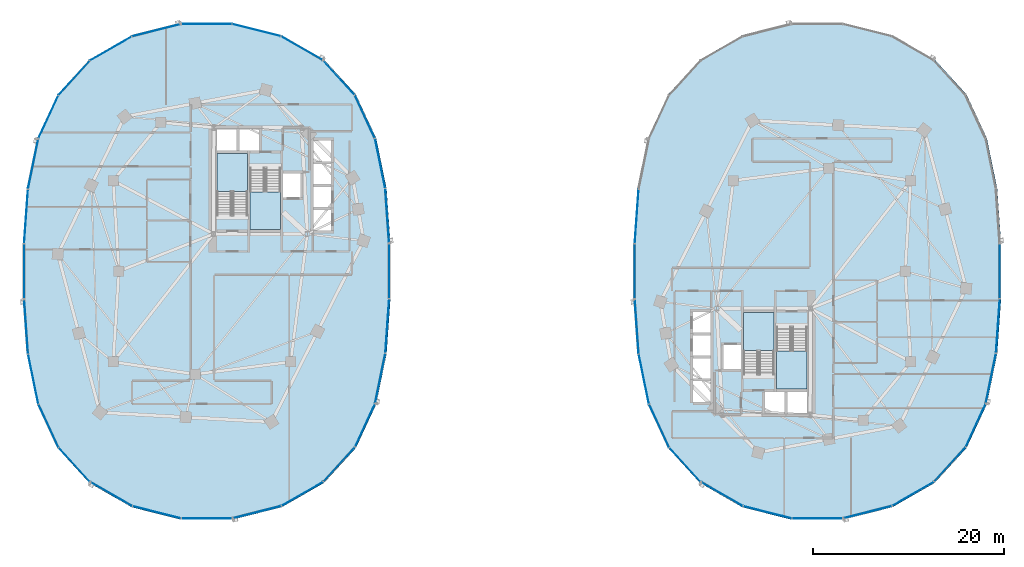
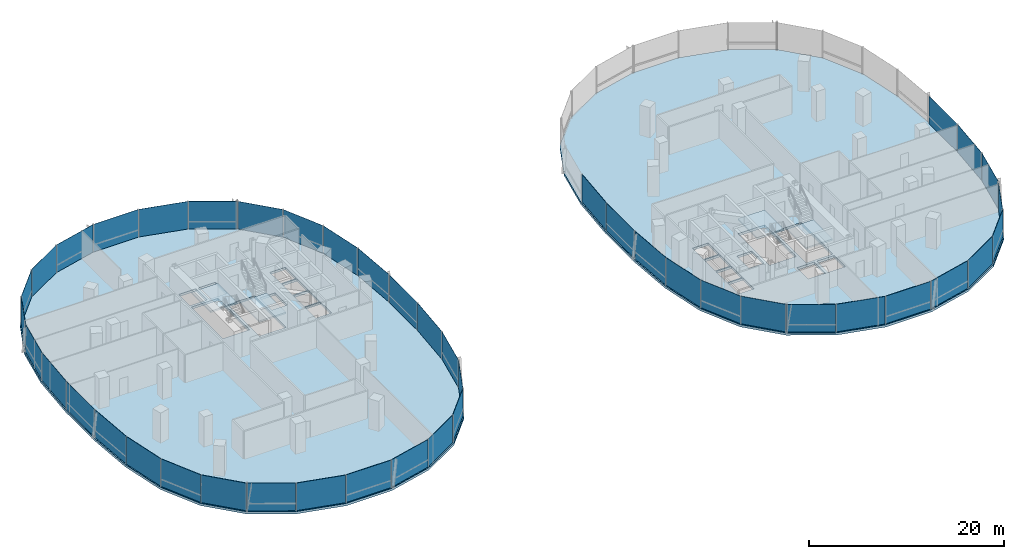
# One storey, part 9 of 21: 44 plates, 6 slabs, 11 elements without a shape of their own.
"""IFC4 building model written with IfcOpenShell, lengths in metres."""

import ifcopenshell
import ifcopenshell.guid

model = None  # the IFC model being written
_history = None  # IfcOwnerHistory: only IFC2X3 demands one
_inside = {}  # id of a spatial element -> (the spatial element, [elements in it])
_under = {}  # id of a project, library or spatial element -> (it, [spatial elements below it])
_declared = {}  # id of a project -> (the project, [libraries it declares])
_typed = {}  # id of a type object -> (the type object, [elements of that type])
_made_of = {}  # id of a material, layer set ... -> (it, [elements and type objects made of it])


def new_model(schema):
    """Start an empty IFC model of exactly this schema.

    Asked for "IFC4X3", IfcOpenShell would pick the latest addendum, in which some entities
    have other attributes; the version numbers below select the first issue.
    IFC2X3 requires an IfcOwnerHistory on every rooted entity: one is made here for all.
    """
    global model, _history
    if schema == "IFC4X3":
        model = ifcopenshell.file(schema_version=(4, 3, 0, 0))
    else:
        model = ifcopenshell.file(schema=schema)
    _inside.clear()
    _under.clear()
    _declared.clear()
    _typed.clear()
    _made_of.clear()
    _history = None
    if model.schema == "IFC2X3":
        org = make("IfcOrganization", Name="unknown")
        user = make(
            "IfcPersonAndOrganization",
            ThePerson=make("IfcPerson", FamilyName="unknown"),
            TheOrganization=org,
        )
        app = make(
            "IfcApplication",
            ApplicationDeveloper=org,
            Version="unknown",
            ApplicationFullName="unknown",
            ApplicationIdentifier="unknown",
        )
        _history = make(
            "IfcOwnerHistory",
            OwningUser=user,
            OwningApplication=app,
            ChangeAction="ADDED",
            CreationDate=0,
        )
    return model


def make(cls, **values):
    """One entity of the class cls with the attributes given. An attribute that is None is left unset."""
    return model.create_entity(
        cls, **{name: value for name, value in values.items() if value is not None}
    )


def rooted(cls, **values):
    """An entity with a GlobalId (a new one), such as an element, a storey or a relation."""
    return make(cls, GlobalId=ifcopenshell.guid.new(), OwnerHistory=_history, **values)


def si_unit(unit_type, name, prefix=None):
    """IfcSIUnit, for example si_unit("LENGTHUNIT", "METRE", prefix="MILLI")."""
    return make("IfcSIUnit", UnitType=unit_type, Prefix=prefix, Name=name)


def assignment(units):
    """IfcUnitAssignment: the units of a project."""
    return None if units is None else make("IfcUnitAssignment", Units=units)


def point(xyz):
    """IfcCartesianPoint."""
    return None if xyz is None else make("IfcCartesianPoint", Coordinates=xyz)


def direction(xyz):
    """IfcDirection."""
    return None if xyz is None else make("IfcDirection", DirectionRatios=xyz)


def frame(location, z_axis=None, x_axis=None):
    """IfcAxis2Placement3D, a coordinate frame: its origin and axes. An axis left out is left unset."""
    return make(
        "IfcAxis2Placement3D",
        Location=point(location),
        Axis=direction(z_axis),
        RefDirection=direction(x_axis),
    )


def frame_2d(location, x_axis=None):
    """IfcAxis2Placement2D, a coordinate frame in the plane: its origin and x axis."""
    return make(
        "IfcAxis2Placement2D", Location=point(location), RefDirection=direction(x_axis)
    )


def origin():
    """The frame at (0, 0, 0) with its axes left unset."""
    return frame((0.0, 0.0, 0.0))


def origin_2d():
    """The frame at (0, 0) in the plane with its x axis left unset."""
    return frame_2d((0.0, 0.0))


def place(relative_to, where):
    """IfcLocalPlacement: puts the frame where relative to a parent placement (None: the world)."""
    return make(
        "IfcLocalPlacement", PlacementRelTo=relative_to, RelativePlacement=where
    )


def context(
    kind, dimensions, precision=None, world=None, true_north=None, identifier=None
):
    """IfcGeometricRepresentationContext, for example the 3D "Model" context."""
    return make(
        "IfcGeometricRepresentationContext",
        ContextIdentifier=identifier,
        ContextType=kind,
        CoordinateSpaceDimension=dimensions,
        Precision=precision,
        WorldCoordinateSystem=world,
        TrueNorth=true_north,
    )


def subcontext(parent, identifier, kind, view, scale=None):
    """IfcGeometricRepresentationSubContext, for example "Body" below "Model"."""
    return make(
        "IfcGeometricRepresentationSubContext",
        ContextIdentifier=identifier,
        ContextType=kind,
        ParentContext=parent,
        TargetScale=scale,
        TargetView=view,
    )


def project(units=None, contexts=None):
    """IfcProject with its units and contexts."""
    return rooted(
        "IfcProject",
        Name="project",
        RepresentationContexts=contexts,
        UnitsInContext=assignment(units),
    )


def spatial(cls, under=None, at=None, **own):
    """A site, building, storey or space (cls), placed at a placement, below another one or the project."""
    s = rooted(cls, ObjectPlacement=at, **own)
    if under is not None:
        _under.setdefault(under.id(), (under, []))[1].append(s)
    return s


def polyline(points):
    """IfcPolyline through the points."""
    return make("IfcPolyline", Points=[point(p) for p in points])


def profile(cls, at=None, kind="AREA", **sizes):
    """A parametric profile (cls). Its sizes go by their IFC names, for example OverallWidth=200.0."""
    return make(cls, ProfileType=kind, Position=at, **sizes)


def rectangle(**sizes):
    """IfcRectangleProfileDef."""
    return profile("IfcRectangleProfileDef", **sizes)


def outline(outer, holes=None, kind="AREA"):
    """IfcArbitraryClosedProfileDef: a profile drawn as a closed curve; with holes, ...WithVoids."""
    if holes is None:
        return make("IfcArbitraryClosedProfileDef", ProfileType=kind, OuterCurve=outer)
    return make(
        "IfcArbitraryProfileDefWithVoids",
        ProfileType=kind,
        OuterCurve=outer,
        InnerCurves=holes,
    )


def extrude(swept, where, along, depth):
    """IfcExtrudedAreaSolid: the profile swept, set in the frame where, extruded along a direction by depth."""
    return make(
        "IfcExtrudedAreaSolid",
        SweptArea=swept,
        Position=where,
        ExtrudedDirection=direction(along),
        Depth=depth,
    )


def shape(context_of_items, identifier, shape_type, items):
    """IfcShapeRepresentation: the items that make up one representation, for example the "Body"."""
    return make(
        "IfcShapeRepresentation",
        ContextOfItems=context_of_items,
        RepresentationIdentifier=identifier,
        RepresentationType=shape_type,
        Items=items,
    )


def material(Name=None, Category=None):
    """IfcMaterial."""
    return make("IfcMaterial", Name=Name, Category=Category)


def layer(
    of_material, thickness, ventilated=None, Name=None, Category=None, Priority=None
):
    """IfcMaterialLayer: one layer of a wall or slab, of a material (None: an air gap)."""
    return make(
        "IfcMaterialLayer",
        Material=of_material,
        LayerThickness=thickness,
        IsVentilated=ventilated,
        Name=Name,
        Category=Category,
        Priority=Priority,
    )


def layer_set(layers, Name=None):
    """IfcMaterialLayerSet."""
    return make("IfcMaterialLayerSet", MaterialLayers=layers, LayerSetName=Name)


def made_of(thing, what):
    """Note that an element or type object is made of a material, layer set ...; save() writes the relation."""
    if what is not None:
        _made_of.setdefault(what.id(), (what, []))[1].append(thing)
    return thing


def type_object(cls, material=None, **own):
    """A type object (cls), such as IfcWallType, which elements share."""
    return made_of(rooted(cls, **own), material)


def element(
    cls,
    number,
    at=None,
    inside=None,
    cuts=None,
    type_object=None,
    material=None,
    context=None,
    identifier="Body",
    shape_type=None,
    held_by="IfcProductDefinitionShape",
    body=None,
    shapes=None,
    **own,
):
    """One element of the class cls, such as IfcWall. Its Tag is "e" and its number.

    at: its placement. inside: the storey or other place that contains it. cuts: it is an
    opening in that element (IfcRelVoidsElement). A single representation is given by context,
    identifier, shape_type and body (its items); several are given by shapes. held_by: the class
    of the entity that holds the representations. save() writes the other relations.
    """
    e = rooted(cls, Tag="e%d" % number, ObjectPlacement=at, **own)
    if body is not None:
        shapes = [shape(context, identifier, shape_type, body)]
    if shapes is not None:
        e.Representation = make(held_by, Representations=shapes)
    if inside is not None:
        _inside.setdefault(inside.id(), (inside, []))[1].append(e)
    if cuts is not None:
        rooted(
            "IfcRelVoidsElement", RelatingBuildingElement=cuts, RelatedOpeningElement=e
        )
    if type_object is not None:
        _typed.setdefault(type_object.id(), (type_object, []))[1].append(e)
    return made_of(e, material)


def aggregate(whole, parts):
    """IfcRelAggregates: a whole, such as a stair, and the parts it consists of."""
    return rooted("IfcRelAggregates", RelatingObject=whole, RelatedObjects=parts)


def save(model, path):
    """Write the relations noted so far, then the file.

    IfcRelAggregates (storeys below a building ...), IfcRelContainedInSpatialStructure (elements
    in a storey), IfcRelDefinesByType, IfcRelAssociatesMaterial and IfcRelDeclares: one each for
    every whole, place, type object, material and project.
    """
    for whole, parts in _under.values():
        aggregate(whole, parts)
    for where, things in _inside.values():
        rooted(
            "IfcRelContainedInSpatialStructure",
            RelatedElements=things,
            RelatingStructure=where,
        )
    for kind, things in _typed.values():
        rooted("IfcRelDefinesByType", RelatedObjects=things, RelatingType=kind)
    for what, things in _made_of.values():
        rooted("IfcRelAssociatesMaterial", RelatedObjects=things, RelatingMaterial=what)
    for by, libraries in _declared.values():
        rooted("IfcRelDeclares", RelatingContext=by, RelatedDefinitions=libraries)
    model.write(path)


model = new_model("IFC4")

# Units and contexts
model_context = context("Model", 3, precision=1e-05, world=origin(), true_north=direction((0.0, 1.0)))
body_context = subcontext(model_context, "Body", "Model", "MODEL_VIEW")
ifc_project = project(units=[si_unit("LENGTHUNIT", "METRE"), si_unit("AREAUNIT", "SQUARE_METRE"), si_unit("VOLUMEUNIT", "CUBIC_METRE"), si_unit("PLANEANGLEUNIT", "RADIAN"), si_unit("MASSUNIT", "GRAM", prefix="KILO"), si_unit("THERMODYNAMICTEMPERATUREUNIT", "KELVIN"), si_unit("POWERUNIT", "WATT")], contexts=[model_context])

# Site, building, storey
site_placement = place(None, origin())
site = spatial("IfcSite", under=ifc_project, at=site_placement, CompositionType="ELEMENT")
building_placement = place(site_placement, origin())
building = spatial("IfcBuilding", under=site, at=building_placement, Name="Cundina Bronze Exchange", CompositionType="ELEMENT")
storey_placement = place(building_placement, frame((0.0, 0.0, 27.800048828125)))
storey = spatial("IfcBuildingStorey", under=building, at=storey_placement, Name="L06", CompositionType="ELEMENT", Elevation=27.800048828125)

# Curtain wall, plates
ifc_material_1 = material(Name="Anodised Bronze Aluminium 6063-T6", Category="aluminium")
curtain_wall_type = type_object("IfcCurtainWallType", Name="CWS-TRD-LOW", PredefinedType="NOTDEFINED", material=ifc_material_1)
curtain_wall_1_placement = place(storey_placement, origin())
curtain_wall_1 = element("IfcCurtainWall", 1, at=curtain_wall_1_placement, inside=storey, type_object=curtain_wall_type, Name="L06 CW-02 Curtain Wall Run CWR-L06-W1", PredefinedType="NOTDEFINED")
ifc_material_2 = material(Name="Heat-Strengthened Solar-Control Bronze Safety Glass 28mm", Category="glass")
ifc_layer_1 = layer(ifc_material_2, 0.028076171875, Name="Heat-Strengthened Solar-Control Bronze Safety Glass 28mm", Category="glass")
ifc_layer_set_1 = layer_set([ifc_layer_1], Name="Heat-Strengthened Solar-Control Bronze Safety Glass 28mm")
plate_type_1 = type_object("IfcPlateType", Name="PLT-GLZ-VIS28", PredefinedType="CURTAIN_PANEL", material=ifc_layer_set_1)
plate_1_placement = place(storey_placement, frame((-13.0732421875, 5.783935546875, 0.02001953125), z_axis=(0.0, 0.0, 1.0), x_axis=(-0.070278787473, 0.997527389113, 0.0)))
plate_1 = element("IfcPlate", 2, at=plate_1_placement, type_object=plate_type_1, Name="CW-02 Glazed Panel 1", PredefinedType="CURTAIN_PANEL", context=body_context, shape_type="SweptSolid", body=[
    extrude(rectangle(XDim=5.644287109375, YDim=0.028076171875, at=origin_2d()), origin(), (0.0, 0.0, 1.0), 3.4599609375),
])
plate_2_placement = place(storey_placement, frame((-13.81591796875, 11.269775390625, 0.02001953125), z_axis=(0.0, 0.0, 1.0), x_axis=(-0.201419845156, 0.979505000486, 0.0)))
plate_2 = element("IfcPlate", 3, at=plate_2_placement, type_object=plate_type_1, Name="CW-02 Glazed Panel 2", PredefinedType="CURTAIN_PANEL", context=body_context, shape_type="SweptSolid", body=[
    extrude(rectangle(XDim=5.306640625, YDim=0.028076171875, at=origin_2d()), origin(), (0.0, 0.0, 1.0), 3.4599609375),
])
plate_3_placement = place(storey_placement, frame((-15.413818359375, 16.177734375, 0.02001953125), z_axis=(0.0, 0.0, 1.0), x_axis=(-0.42084583328, 0.907132175932, 0.0)))
plate_3 = element("IfcPlate", 4, at=plate_3_placement, type_object=plate_type_1, Name="CW-02 Glazed Panel 3", PredefinedType="CURTAIN_PANEL", context=body_context, shape_type="SweptSolid", body=[
    extrude(rectangle(XDim=4.966552734375, YDim=0.028076171875, at=origin_2d()), origin(), (0.0, 0.0, 1.0), 3.4599609375),
])
plate_4_placement = place(storey_placement, frame((-21.980712890625, 23.34423828125, 0.02001953125), z_axis=(0.0, 0.0, 1.0), x_axis=(-0.867105478933, 0.498124571171, 0.0)))
plate_4 = element("IfcPlate", 5, at=plate_4_placement, type_object=plate_type_1, Name="CW-02 Glazed Panel 5", PredefinedType="CURTAIN_PANEL", context=body_context, shape_type="SweptSolid", body=[
    extrude(rectangle(XDim=5.021240234375, YDim=0.028076171875, at=origin_2d()), origin(), (0.0, 0.0, 1.0), 3.4599609375),
])
plate_5_placement = place(storey_placement, frame((-26.744384765625, 25.256591796875, 0.02001953125), z_axis=(0.0, 0.0, 1.0), x_axis=(-0.969488149345, 0.245138182011, 0.0)))
plate_5 = element("IfcPlate", 6, at=plate_5_placement, type_object=plate_type_1, Name="CW-02 Glazed Panel 6", PredefinedType="CURTAIN_PANEL", context=body_context, shape_type="SweptSolid", body=[
    extrude(rectangle(XDim=5.2333984375, YDim=0.028076171875, at=origin_2d()), origin(), (0.0, 0.0, 1.0), 3.4599609375),
])
plate_6_placement = place(storey_placement, frame((-32.0, 25.905029296875, 0.02001953125), z_axis=(0.0, 0.0, 1.0), x_axis=(-1.0, 0.0, 0.0)))
plate_6 = element("IfcPlate", 7, at=plate_6_placement, type_object=plate_type_1, Name="CW-02 Glazed Panel 7", PredefinedType="CURTAIN_PANEL", context=body_context, shape_type="SweptSolid", body=[
    extrude(rectangle(XDim=5.323974609375, YDim=0.028076171875, at=origin_2d()), origin(), (0.0, 0.0, 1.0), 3.4599609375),
])

curtain_wall_2_placement = place(storey_placement, origin())
curtain_wall_2 = element("IfcCurtainWall", 8, at=curtain_wall_2_placement, inside=storey, type_object=curtain_wall_type, Name="L06 CW-02 Curtain Wall Run CWR-L06-W2", PredefinedType="NOTDEFINED")
plate_7_placement = place(storey_placement, frame((-37.255615234375, 25.256591796875, 0.02001953125), z_axis=(0.0, 0.0, 1.0), x_axis=(-0.969488149345, -0.245138182011, 0.0)))
plate_7 = element("IfcPlate", 9, at=plate_7_placement, type_object=plate_type_1, Name="CW-02 Glazed Panel 1", PredefinedType="CURTAIN_PANEL", context=body_context, shape_type="SweptSolid", body=[
    extrude(rectangle(XDim=5.2333984375, YDim=0.028076171875, at=origin_2d()), origin(), (0.0, 0.0, 1.0), 3.4599609375),
])
plate_8_placement = place(storey_placement, frame((-42.019287109375, 23.34423828125, 0.02001953125), z_axis=(0.0, 0.0, 1.0), x_axis=(-0.867105478933, -0.498124571171, 0.0)))
plate_8 = element("IfcPlate", 10, at=plate_8_placement, type_object=plate_type_1, Name="CW-02 Glazed Panel 2", PredefinedType="CURTAIN_PANEL", context=body_context, shape_type="SweptSolid", body=[
    extrude(rectangle(XDim=5.021240234375, YDim=0.028076171875, at=origin_2d()), origin(), (0.0, 0.0, 1.0), 3.4599609375),
])
plate_9_placement = place(storey_placement, frame((-48.586181640625, 16.177734375, 0.02001953125), z_axis=(0.0, 0.0, 1.0), x_axis=(-0.42084583328, -0.907132175932, 0.0)))
plate_9 = element("IfcPlate", 11, at=plate_9_placement, type_object=plate_type_1, Name="CW-02 Glazed Panel 4", PredefinedType="CURTAIN_PANEL", context=body_context, shape_type="SweptSolid", body=[
    extrude(rectangle(XDim=4.966552734375, YDim=0.028076171875, at=origin_2d()), origin(), (0.0, 0.0, 1.0), 3.4599609375),
])
plate_10_placement = place(storey_placement, frame((-50.18408203125, 11.269775390625, 0.02001953125), z_axis=(0.0, 0.0, 1.0), x_axis=(-0.201419845156, -0.979505000486, 0.0)))
plate_10 = element("IfcPlate", 12, at=plate_10_placement, type_object=plate_type_1, Name="CW-02 Glazed Panel 5", PredefinedType="CURTAIN_PANEL", context=body_context, shape_type="SweptSolid", body=[
    extrude(rectangle(XDim=5.306640625, YDim=0.028076171875, at=origin_2d()), origin(), (0.0, 0.0, 1.0), 3.4599609375),
])
plate_11_placement = place(storey_placement, frame((-50.9267578125, 5.783935546875, 0.02001953125), z_axis=(0.0, 0.0, 1.0), x_axis=(-0.070278787473, -0.997527389113, 0.0)))
plate_11 = element("IfcPlate", 13, at=plate_11_placement, type_object=plate_type_1, Name="CW-02 Glazed Panel 6", PredefinedType="CURTAIN_PANEL", context=body_context, shape_type="SweptSolid", body=[
    extrude(rectangle(XDim=5.644287109375, YDim=0.028076171875, at=origin_2d()), origin(), (0.0, 0.0, 1.0), 3.4599609375),
])
plate_12_placement = place(storey_placement, frame((-51.1279296875, 0.0, 0.02001953125), z_axis=(0.0, 0.0, 1.0), x_axis=(0.0, -1.0, 0.0)))
plate_12 = element("IfcPlate", 14, at=plate_12_placement, type_object=plate_type_1, Name="CW-02 Glazed Panel 7", PredefinedType="CURTAIN_PANEL", context=body_context, shape_type="SweptSolid", body=[
    extrude(rectangle(XDim=5.77587890625, YDim=0.028076171875, at=origin_2d()), origin(), (0.0, 0.0, 1.0), 3.4599609375),
])

curtain_wall_3_placement = place(storey_placement, origin())
curtain_wall_3 = element("IfcCurtainWall", 15, at=curtain_wall_3_placement, inside=storey, type_object=curtain_wall_type, Name="L06 CW-02 Curtain Wall Run CWR-L06-W3", PredefinedType="NOTDEFINED")
plate_13_placement = place(storey_placement, frame((-50.9267578125, -5.783935546875, 0.02001953125), z_axis=(0.0, 0.0, 1.0), x_axis=(0.070278787473, -0.997527389113, 0.0)))
plate_13 = element("IfcPlate", 16, at=plate_13_placement, type_object=plate_type_1, Name="CW-02 Glazed Panel 1", PredefinedType="CURTAIN_PANEL", context=body_context, shape_type="SweptSolid", body=[
    extrude(rectangle(XDim=5.644287109375, YDim=0.028076171875, at=origin_2d()), origin(), (0.0, 0.0, 1.0), 3.4599609375),
])
plate_14_placement = place(storey_placement, frame((-48.586181640625, -16.177734375, 0.02001953125), z_axis=(0.0, 0.0, 1.0), x_axis=(0.42084583328, -0.907132175932, 0.0)))
plate_14 = element("IfcPlate", 17, at=plate_14_placement, type_object=plate_type_1, Name="CW-02 Glazed Panel 3", PredefinedType="CURTAIN_PANEL", context=body_context, shape_type="SweptSolid", body=[
    extrude(rectangle(XDim=4.966552734375, YDim=0.028076171875, at=origin_2d()), origin(), (0.0, 0.0, 1.0), 3.4599609375),
])
plate_15_placement = place(storey_placement, frame((-45.8740234375, -20.267333984375, 0.02001953125), z_axis=(0.0, 0.0, 1.0), x_axis=(0.674276610219, -0.73847887777, 0.0)))
plate_15 = element("IfcPlate", 18, at=plate_15_placement, type_object=plate_type_1, Name="CW-02 Glazed Panel 4", PredefinedType="CURTAIN_PANEL", context=body_context, shape_type="SweptSolid", body=[
    extrude(rectangle(XDim=4.86328125, YDim=0.028076171875, at=origin_2d()), origin(), (0.0, 0.0, 1.0), 3.4599609375),
])
plate_16_placement = place(storey_placement, frame((-42.019287109375, -23.34423828125, 0.02001953125), z_axis=(0.0, 0.0, 1.0), x_axis=(0.867105478933, -0.498124571171, 0.0)))
plate_16 = element("IfcPlate", 19, at=plate_16_placement, type_object=plate_type_1, Name="CW-02 Glazed Panel 5", PredefinedType="CURTAIN_PANEL", context=body_context, shape_type="SweptSolid", body=[
    extrude(rectangle(XDim=5.021240234375, YDim=0.028076171875, at=origin_2d()), origin(), (0.0, 0.0, 1.0), 3.4599609375),
])
plate_17_placement = place(storey_placement, frame((-37.255615234375, -25.256591796875, 0.02001953125), z_axis=(0.0, 0.0, 1.0), x_axis=(0.969488149345, -0.245138182011, 0.0)))
plate_17 = element("IfcPlate", 20, at=plate_17_placement, type_object=plate_type_1, Name="CW-02 Glazed Panel 6", PredefinedType="CURTAIN_PANEL", context=body_context, shape_type="SweptSolid", body=[
    extrude(rectangle(XDim=5.2333984375, YDim=0.028076171875, at=origin_2d()), origin(), (0.0, 0.0, 1.0), 3.4599609375),
])

curtain_wall_4_placement = place(storey_placement, origin())
curtain_wall_4 = element("IfcCurtainWall", 21, at=curtain_wall_4_placement, inside=storey, type_object=curtain_wall_type, Name="L06 CW-02 Curtain Wall Run CWR-L06-W4", PredefinedType="NOTDEFINED")
plate_18_placement = place(storey_placement, frame((-21.980712890625, -23.34423828125, 0.02001953125), z_axis=(0.0, 0.0, 1.0), x_axis=(0.867105478933, 0.498124571171, 0.0)))
plate_18 = element("IfcPlate", 22, at=plate_18_placement, type_object=plate_type_1, Name="CW-02 Glazed Panel 2", PredefinedType="CURTAIN_PANEL", context=body_context, shape_type="SweptSolid", body=[
    extrude(rectangle(XDim=5.021240234375, YDim=0.028076171875, at=origin_2d()), origin(), (0.0, 0.0, 1.0), 3.4599609375),
])
plate_19_placement = place(storey_placement, frame((-18.1259765625, -20.267333984375, 0.02001953125), z_axis=(0.0, 0.0, 1.0), x_axis=(0.674276610219, 0.73847887777, 0.0)))
plate_19 = element("IfcPlate", 23, at=plate_19_placement, type_object=plate_type_1, Name="CW-02 Glazed Panel 3", PredefinedType="CURTAIN_PANEL", context=body_context, shape_type="SweptSolid", body=[
    extrude(rectangle(XDim=4.86328125, YDim=0.028076171875, at=origin_2d()), origin(), (0.0, 0.0, 1.0), 3.4599609375),
])
plate_20_placement = place(storey_placement, frame((-15.413818359375, -16.177734375, 0.02001953125), z_axis=(0.0, 0.0, 1.0), x_axis=(0.42084583328, 0.907132175932, 0.0)))
plate_20 = element("IfcPlate", 24, at=plate_20_placement, type_object=plate_type_1, Name="CW-02 Glazed Panel 4", PredefinedType="CURTAIN_PANEL", context=body_context, shape_type="SweptSolid", body=[
    extrude(rectangle(XDim=4.966552734375, YDim=0.028076171875, at=origin_2d()), origin(), (0.0, 0.0, 1.0), 3.4599609375),
])
plate_21_placement = place(storey_placement, frame((-13.81591796875, -11.269775390625, 0.02001953125), z_axis=(0.0, 0.0, 1.0), x_axis=(0.201419845156, 0.979505000486, 0.0)))
plate_21 = element("IfcPlate", 25, at=plate_21_placement, type_object=plate_type_1, Name="CW-02 Glazed Panel 5", PredefinedType="CURTAIN_PANEL", context=body_context, shape_type="SweptSolid", body=[
    extrude(rectangle(XDim=5.306640625, YDim=0.028076171875, at=origin_2d()), origin(), (0.0, 0.0, 1.0), 3.4599609375),
])
plate_22_placement = place(storey_placement, frame((-12.8720703125, 0.0, 0.02001953125), z_axis=(0.0, 0.0, 1.0), x_axis=(0.0, 1.0, 0.0)))
plate_22 = element("IfcPlate", 26, at=plate_22_placement, type_object=plate_type_1, Name="CW-02 Glazed Panel 7", PredefinedType="CURTAIN_PANEL", context=body_context, shape_type="SweptSolid", body=[
    extrude(rectangle(XDim=5.77587890625, YDim=0.028076171875, at=origin_2d()), origin(), (0.0, 0.0, 1.0), 3.4599609375),
])

curtain_wall_5_placement = place(storey_placement, origin())
curtain_wall_5 = element("IfcCurtainWall", 27, at=curtain_wall_5_placement, inside=storey, type_object=curtain_wall_type, Name="L06 CW-02 Curtain Wall Run CWR-L06-E2", PredefinedType="NOTDEFINED")
plate_23_placement = place(storey_placement, frame((13.0732421875, 5.783935546875, 0.02001953125), z_axis=(0.0, 0.0, 1.0), x_axis=(-0.070278787473, -0.997527389113, 0.0)))
plate_23 = element("IfcPlate", 28, at=plate_23_placement, type_object=plate_type_1, Name="CW-02 Glazed Panel 6", PredefinedType="CURTAIN_PANEL", context=body_context, shape_type="SweptSolid", body=[
    extrude(rectangle(XDim=5.644287109375, YDim=0.028076171875, at=origin_2d()), origin(), (0.0, 0.0, 1.0), 3.4599609375),
])
plate_24_placement = place(storey_placement, frame((12.8720703125, 0.0, 0.02001953125), z_axis=(0.0, 0.0, 1.0), x_axis=(0.0, -1.0, 0.0)))
plate_24 = element("IfcPlate", 29, at=plate_24_placement, type_object=plate_type_1, Name="CW-02 Glazed Panel 7", PredefinedType="CURTAIN_PANEL", context=body_context, shape_type="SweptSolid", body=[
    extrude(rectangle(XDim=5.77587890625, YDim=0.028076171875, at=origin_2d()), origin(), (0.0, 0.0, 1.0), 3.4599609375),
])
aggregate(curtain_wall_5, [plate_23, plate_24])

curtain_wall_6_placement = place(storey_placement, origin())
curtain_wall_6 = element("IfcCurtainWall", 30, at=curtain_wall_6_placement, inside=storey, type_object=curtain_wall_type, Name="L06 CW-02 Curtain Wall Run CWR-L06-E3", PredefinedType="NOTDEFINED")
plate_25_placement = place(storey_placement, frame((13.0732421875, -5.783935546875, 0.02001953125), z_axis=(0.0, 0.0, 1.0), x_axis=(0.070278787473, -0.997527389113, 0.0)))
plate_25 = element("IfcPlate", 31, at=plate_25_placement, type_object=plate_type_1, Name="CW-02 Glazed Panel 1", PredefinedType="CURTAIN_PANEL", context=body_context, shape_type="SweptSolid", body=[
    extrude(rectangle(XDim=5.644287109375, YDim=0.028076171875, at=origin_2d()), origin(), (0.0, 0.0, 1.0), 3.4599609375),
])
plate_26_placement = place(storey_placement, frame((15.413818359375, -16.177734375, 0.02001953125), z_axis=(0.0, 0.0, 1.0), x_axis=(0.42084583328, -0.907132175932, 0.0)))
plate_26 = element("IfcPlate", 32, at=plate_26_placement, type_object=plate_type_1, Name="CW-02 Glazed Panel 3", PredefinedType="CURTAIN_PANEL", context=body_context, shape_type="SweptSolid", body=[
    extrude(rectangle(XDim=4.966552734375, YDim=0.028076171875, at=origin_2d()), origin(), (0.0, 0.0, 1.0), 3.4599609375),
])
plate_27_placement = place(storey_placement, frame((18.1259765625, -20.267333984375, 0.02001953125), z_axis=(0.0, 0.0, 1.0), x_axis=(0.674276610219, -0.73847887777, 0.0)))
plate_27 = element("IfcPlate", 33, at=plate_27_placement, type_object=plate_type_1, Name="CW-02 Glazed Panel 4", PredefinedType="CURTAIN_PANEL", context=body_context, shape_type="SweptSolid", body=[
    extrude(rectangle(XDim=4.86328125, YDim=0.028076171875, at=origin_2d()), origin(), (0.0, 0.0, 1.0), 3.4599609375),
])
plate_28_placement = place(storey_placement, frame((21.980712890625, -23.34423828125, 0.02001953125), z_axis=(0.0, 0.0, 1.0), x_axis=(0.867105478933, -0.498124571171, 0.0)))
plate_28 = element("IfcPlate", 34, at=plate_28_placement, type_object=plate_type_1, Name="CW-02 Glazed Panel 5", PredefinedType="CURTAIN_PANEL", context=body_context, shape_type="SweptSolid", body=[
    extrude(rectangle(XDim=5.021240234375, YDim=0.028076171875, at=origin_2d()), origin(), (0.0, 0.0, 1.0), 3.4599609375),
])
plate_29_placement = place(storey_placement, frame((26.744384765625, -25.256591796875, 0.02001953125), z_axis=(0.0, 0.0, 1.0), x_axis=(0.969488149345, -0.245138182011, 0.0)))
plate_29 = element("IfcPlate", 35, at=plate_29_placement, type_object=plate_type_1, Name="CW-02 Glazed Panel 6", PredefinedType="CURTAIN_PANEL", context=body_context, shape_type="SweptSolid", body=[
    extrude(rectangle(XDim=5.2333984375, YDim=0.028076171875, at=origin_2d()), origin(), (0.0, 0.0, 1.0), 3.4599609375),
])

curtain_wall_7_placement = place(storey_placement, origin())
curtain_wall_7 = element("IfcCurtainWall", 36, at=curtain_wall_7_placement, inside=storey, type_object=curtain_wall_type, Name="L06 CW-02 Curtain Wall Run CWR-L06-E4", PredefinedType="NOTDEFINED")
plate_30_placement = place(storey_placement, frame((42.019287109375, -23.34423828125, 0.02001953125), z_axis=(0.0, 0.0, 1.0), x_axis=(0.867105478933, 0.498124571171, 0.0)))
plate_30 = element("IfcPlate", 37, at=plate_30_placement, type_object=plate_type_1, Name="CW-02 Glazed Panel 2", PredefinedType="CURTAIN_PANEL", context=body_context, shape_type="SweptSolid", body=[
    extrude(rectangle(XDim=5.021240234375, YDim=0.028076171875, at=origin_2d()), origin(), (0.0, 0.0, 1.0), 3.4599609375),
])
plate_31_placement = place(storey_placement, frame((45.8740234375, -20.267333984375, 0.02001953125), z_axis=(0.0, 0.0, 1.0), x_axis=(0.674276610219, 0.73847887777, 0.0)))
plate_31 = element("IfcPlate", 38, at=plate_31_placement, type_object=plate_type_1, Name="CW-02 Glazed Panel 3", PredefinedType="CURTAIN_PANEL", context=body_context, shape_type="SweptSolid", body=[
    extrude(rectangle(XDim=4.86328125, YDim=0.028076171875, at=origin_2d()), origin(), (0.0, 0.0, 1.0), 3.4599609375),
])
plate_32_placement = place(storey_placement, frame((48.586181640625, -16.177734375, 0.02001953125), z_axis=(0.0, 0.0, 1.0), x_axis=(0.42084583328, 0.907132175932, 0.0)))
plate_32 = element("IfcPlate", 39, at=plate_32_placement, type_object=plate_type_1, Name="CW-02 Glazed Panel 4", PredefinedType="CURTAIN_PANEL", context=body_context, shape_type="SweptSolid", body=[
    extrude(rectangle(XDim=4.966552734375, YDim=0.028076171875, at=origin_2d()), origin(), (0.0, 0.0, 1.0), 3.4599609375),
])
plate_33_placement = place(storey_placement, frame((50.18408203125, -11.269775390625, 0.02001953125), z_axis=(0.0, 0.0, 1.0), x_axis=(0.201419845156, 0.979505000486, 0.0)))
plate_33 = element("IfcPlate", 40, at=plate_33_placement, type_object=plate_type_1, Name="CW-02 Glazed Panel 5", PredefinedType="CURTAIN_PANEL", context=body_context, shape_type="SweptSolid", body=[
    extrude(rectangle(XDim=5.306640625, YDim=0.028076171875, at=origin_2d()), origin(), (0.0, 0.0, 1.0), 3.4599609375),
])
plate_34_placement = place(storey_placement, frame((51.1279296875, 0.0, 0.02001953125), z_axis=(0.0, 0.0, 1.0), x_axis=(0.0, 1.0, 0.0)))
plate_34 = element("IfcPlate", 41, at=plate_34_placement, type_object=plate_type_1, Name="CW-02 Glazed Panel 7", PredefinedType="CURTAIN_PANEL", context=body_context, shape_type="SweptSolid", body=[
    extrude(rectangle(XDim=5.77587890625, YDim=0.028076171875, at=origin_2d()), origin(), (0.0, 0.0, 1.0), 3.4599609375),
])

# Plate
ifc_material_3 = material(Name="Dark Bronze Spandrel Glass Panel 32mm", Category="glass")
ifc_layer_2 = layer(ifc_material_3, 0.031982421875, Name="Dark Bronze Spandrel Glass Panel 32mm", Category="glass")
ifc_layer_set_2 = layer_set([ifc_layer_2], Name="Dark Bronze Spandrel Glass Panel 32mm")
plate_type_2 = type_object("IfcPlateType", Name="PLT-SPN-BRZ32", PredefinedType="CURTAIN_PANEL", material=ifc_layer_set_2)
plate_35_placement = place(storey_placement, frame((-18.1259765625, 20.267333984375, 0.02001953125), z_axis=(0.0, 0.0, 1.0), x_axis=(-0.674276610219, 0.73847887777, 0.0)))
plate_35 = element("IfcPlate", 42, at=plate_35_placement, type_object=plate_type_2, Name="CW-02 Glazed Panel 4", PredefinedType="CURTAIN_PANEL", context=body_context, shape_type="SweptSolid", body=[
    extrude(rectangle(XDim=4.86328125, YDim=0.031982421875, at=origin_2d()), origin(), (0.0, 0.0, 1.0), 3.4599609375),
])

aggregate(curtain_wall_1, [plate_1, plate_2, plate_3, plate_35, plate_4, plate_5, plate_6])

plate_36_placement = place(storey_placement, frame((-45.8740234375, 20.267333984375, 0.02001953125), z_axis=(0.0, 0.0, 1.0), x_axis=(-0.674276610219, -0.73847887777, 0.0)))
plate_36 = element("IfcPlate", 43, at=plate_36_placement, type_object=plate_type_2, Name="CW-02 Glazed Panel 3", PredefinedType="CURTAIN_PANEL", context=body_context, shape_type="SweptSolid", body=[
    extrude(rectangle(XDim=4.86328125, YDim=0.031982421875, at=origin_2d()), origin(), (0.0, 0.0, 1.0), 3.4599609375),
])

aggregate(curtain_wall_2, [plate_7, plate_8, plate_36, plate_9, plate_10, plate_11, plate_12])

plate_37_placement = place(storey_placement, frame((-50.18408203125, -11.269775390625, 0.02001953125), z_axis=(0.0, 0.0, 1.0), x_axis=(0.201419845156, -0.979505000486, 0.0)))
plate_37 = element("IfcPlate", 44, at=plate_37_placement, type_object=plate_type_2, Name="CW-02 Glazed Panel 2", PredefinedType="CURTAIN_PANEL", context=body_context, shape_type="SweptSolid", body=[
    extrude(rectangle(XDim=5.306640625, YDim=0.031982421875, at=origin_2d()), origin(), (0.0, 0.0, 1.0), 3.4599609375),
])

plate_38_placement = place(storey_placement, frame((-32.0, -25.905029296875, 0.02001953125), z_axis=(0.0, 0.0, 1.0), x_axis=(1.0, 0.0, 0.0)))
plate_38 = element("IfcPlate", 45, at=plate_38_placement, type_object=plate_type_2, Name="CW-02 Glazed Panel 7", PredefinedType="CURTAIN_PANEL", context=body_context, shape_type="SweptSolid", body=[
    extrude(rectangle(XDim=5.323974609375, YDim=0.031982421875, at=origin_2d()), origin(), (0.0, 0.0, 1.0), 3.4599609375),
])

aggregate(curtain_wall_3, [plate_13, plate_37, plate_14, plate_15, plate_16, plate_17, plate_38])

plate_39_placement = place(storey_placement, frame((-26.744384765625, -25.256591796875, 0.02001953125), z_axis=(0.0, 0.0, 1.0), x_axis=(0.969488149345, 0.245138182011, 0.0)))
plate_39 = element("IfcPlate", 46, at=plate_39_placement, type_object=plate_type_2, Name="CW-02 Glazed Panel 1", PredefinedType="CURTAIN_PANEL", context=body_context, shape_type="SweptSolid", body=[
    extrude(rectangle(XDim=5.2333984375, YDim=0.031982421875, at=origin_2d()), origin(), (0.0, 0.0, 1.0), 3.4599609375),
])

plate_40_placement = place(storey_placement, frame((-13.0732421875, -5.783935546875, 0.02001953125), z_axis=(0.0, 0.0, 1.0), x_axis=(0.070278787473, 0.997527389113, 0.0)))
plate_40 = element("IfcPlate", 47, at=plate_40_placement, type_object=plate_type_2, Name="CW-02 Glazed Panel 6", PredefinedType="CURTAIN_PANEL", context=body_context, shape_type="SweptSolid", body=[
    extrude(rectangle(XDim=5.644287109375, YDim=0.031982421875, at=origin_2d()), origin(), (0.0, 0.0, 1.0), 3.4599609375),
])

aggregate(curtain_wall_4, [plate_39, plate_18, plate_19, plate_20, plate_21, plate_40, plate_22])

plate_41_placement = place(storey_placement, frame((13.81591796875, -11.269775390625, 0.02001953125), z_axis=(0.0, 0.0, 1.0), x_axis=(0.201419845156, -0.979505000486, 0.0)))
plate_41 = element("IfcPlate", 48, at=plate_41_placement, type_object=plate_type_2, Name="CW-02 Glazed Panel 2", PredefinedType="CURTAIN_PANEL", context=body_context, shape_type="SweptSolid", body=[
    extrude(rectangle(XDim=5.306640625, YDim=0.031982421875, at=origin_2d()), origin(), (0.0, 0.0, 1.0), 3.4599609375),
])

plate_42_placement = place(storey_placement, frame((32.0, -25.905029296875, 0.02001953125), z_axis=(0.0, 0.0, 1.0), x_axis=(1.0, 0.0, 0.0)))
plate_42 = element("IfcPlate", 49, at=plate_42_placement, type_object=plate_type_2, Name="CW-02 Glazed Panel 7", PredefinedType="CURTAIN_PANEL", context=body_context, shape_type="SweptSolid", body=[
    extrude(rectangle(XDim=5.323974609375, YDim=0.031982421875, at=origin_2d()), origin(), (0.0, 0.0, 1.0), 3.4599609375),
])

aggregate(curtain_wall_6, [plate_25, plate_41, plate_26, plate_27, plate_28, plate_29, plate_42])

plate_43_placement = place(storey_placement, frame((37.255615234375, -25.256591796875, 0.02001953125), z_axis=(0.0, 0.0, 1.0), x_axis=(0.969488149345, 0.245138182011, 0.0)))
plate_43 = element("IfcPlate", 50, at=plate_43_placement, type_object=plate_type_2, Name="CW-02 Glazed Panel 1", PredefinedType="CURTAIN_PANEL", context=body_context, shape_type="SweptSolid", body=[
    extrude(rectangle(XDim=5.2333984375, YDim=0.031982421875, at=origin_2d()), origin(), (0.0, 0.0, 1.0), 3.4599609375),
])

plate_44_placement = place(storey_placement, frame((50.9267578125, -5.783935546875, 0.02001953125), z_axis=(0.0, 0.0, 1.0), x_axis=(0.070278787473, 0.997527389113, 0.0)))
plate_44 = element("IfcPlate", 51, at=plate_44_placement, type_object=plate_type_2, Name="CW-02 Glazed Panel 6", PredefinedType="CURTAIN_PANEL", context=body_context, shape_type="SweptSolid", body=[
    extrude(rectangle(XDim=5.644287109375, YDim=0.031982421875, at=origin_2d()), origin(), (0.0, 0.0, 1.0), 3.4599609375),
])

aggregate(curtain_wall_7, [plate_43, plate_30, plate_31, plate_32, plate_33, plate_44, plate_34])

# Stair, slab
ifc_material_4 = material(Name="Concrete C40/50", Category="concrete")
stair_type = type_object("IfcStairType", Name="STR-TRD-380", PredefinedType="HALF_TURN_STAIR", material=ifc_material_4)
stair_1_placement = place(storey_placement, origin())
stair_1 = element("IfcStair", 52, at=stair_1_placement, inside=storey, type_object=stair_type, Name="L06 Smokeproof Exit Stair W1", PredefinedType="HALF_TURN_STAIR")
ifc_layer_3 = layer(ifc_material_4, 0.199951171875, Name="Concrete C40/50", Category="concrete")
ifc_layer_set_3 = layer_set([ifc_layer_3], Name="Concrete C40/50")
slab_type_1 = type_object("IfcSlabType", Name="SLB-LND-200", PredefinedType="LANDING", material=ifc_layer_set_3)
slab_1_placement = place(storey_placement, frame((0.0, 0.0, 1.699951171875)))
slab_1 = element("IfcSlab", 53, at=slab_1_placement, type_object=slab_type_1, Name="ST-W1 landing 1", PredefinedType="LANDING", context=body_context, shape_type="SweptSolid", body=[
    extrude(outline(polyline([(-27.739990234375, 8.3701171875), (-27.739990234375, 12.35009765625), (-30.89990234375, 12.35009765625), (-30.89990234375, 8.3701171875), (-27.739990234375, 8.3701171875)])), origin(), (0.0, 0.0, 1.0), 0.199951171875),
])
aggregate(stair_1, [slab_1])

stair_2_placement = place(storey_placement, origin())
stair_2 = element("IfcStair", 54, at=stair_2_placement, inside=storey, type_object=stair_type, Name="L06 Smokeproof Exit Stair W2", PredefinedType="HALF_TURN_STAIR")
slab_2_placement = place(storey_placement, frame((0.0, 0.0, 1.699951171875)))
slab_2 = element("IfcSlab", 55, at=slab_2_placement, type_object=slab_type_1, Name="ST-W2 landing 1", PredefinedType="LANDING", context=body_context, shape_type="SweptSolid", body=[
    extrude(outline(polyline([(-27.43994140625, 8.330078125), (-27.43994140625, 4.35009765625), (-24.280029296875, 4.35009765625), (-24.280029296875, 8.330078125), (-27.43994140625, 8.330078125)])), origin(), (0.0, 0.0, 1.0), 0.199951171875),
])
aggregate(stair_2, [slab_2])

stair_3_placement = place(storey_placement, origin())
stair_3 = element("IfcStair", 56, at=stair_3_placement, inside=storey, type_object=stair_type, Name="L06 Smokeproof Exit Stair E1", PredefinedType="HALF_TURN_STAIR")
slab_3_placement = place(storey_placement, frame((0.0, 0.0, 1.699951171875)))
slab_3 = element("IfcSlab", 57, at=slab_3_placement, type_object=slab_type_1, Name="ST-E1 landing 1", PredefinedType="LANDING", context=body_context, shape_type="SweptSolid", body=[
    extrude(outline(polyline([(27.739990234375, -8.3701171875), (27.739990234375, -12.35009765625), (30.89990234375, -12.35009765625), (30.89990234375, -8.3701171875), (27.739990234375, -8.3701171875)])), origin(), (0.0, 0.0, 1.0), 0.199951171875),
])
aggregate(stair_3, [slab_3])

stair_4_placement = place(storey_placement, origin())
stair_4 = element("IfcStair", 58, at=stair_4_placement, inside=storey, type_object=stair_type, Name="L06 Smokeproof Exit Stair E2", PredefinedType="HALF_TURN_STAIR")
slab_4_placement = place(storey_placement, frame((0.0, 0.0, 1.699951171875)))
slab_4 = element("IfcSlab", 59, at=slab_4_placement, type_object=slab_type_1, Name="ST-E2 landing 1", PredefinedType="LANDING", context=body_context, shape_type="SweptSolid", body=[
    extrude(outline(polyline([(27.43994140625, -8.330078125), (27.43994140625, -4.35009765625), (24.280029296875, -4.35009765625), (24.280029296875, -8.330078125), (27.43994140625, -8.330078125)])), origin(), (0.0, 0.0, 1.0), 0.199951171875),
])
aggregate(stair_4, [slab_4])

# Slabs
ifc_material_5 = material(Name="Concrete C50/60", Category="concrete")
ifc_layer_4 = layer(ifc_material_5, 0.300048828125, Name="Concrete C50/60", Category="concrete")
ifc_layer_set_4 = layer_set([ifc_layer_4], Name="Concrete C50/60")
slab_type_2 = type_object("IfcSlabType", Name="SLB-TRD-300", PredefinedType="FLOOR", material=ifc_layer_set_4)
slab_5_placement = place(storey_placement, frame((0.0, 0.0, -0.300048828125)))
element("IfcSlab", 60, at=slab_5_placement, inside=storey, type_object=slab_type_2, Name="L06 Leg W Structural Floor Slab", PredefinedType="FLOOR", context=body_context, shape_type="SweptSolid", body=[
    extrude(outline(polyline([(-12.741943359375, 2.93310546875), (-13.14501953125, 8.653076171875), (-14.23193359375, 13.93896484375), (-16.360107421875, 18.52587890625), (-19.699951171875, 22.18408203125), (-24.132080078125, 24.72998046875), (-29.29296875, 26.034912109375), (-34.70703125, 26.034912109375), (-39.867919921875, 24.72998046875), (-44.300048828125, 22.18408203125), (-47.639892578125, 18.52587890625), (-49.76806640625, 13.93896484375), (-50.85498046875, 8.653076171875), (-51.258056640625, 2.93310546875), (-51.258056640625, -2.93310546875), (-50.85498046875, -8.653076171875), (-49.76806640625, -13.93896484375), (-47.639892578125, -18.52587890625), (-44.300048828125, -22.18408203125), (-39.867919921875, -24.72998046875), (-34.70703125, -26.034912109375), (-29.29296875, -26.034912109375), (-24.132080078125, -24.72998046875), (-19.699951171875, -22.18408203125), (-16.360107421875, -18.52587890625), (-14.23193359375, -13.93896484375), (-13.14501953125, -8.653076171875), (-12.741943359375, -2.93310546875), (-12.741943359375, 2.93310546875)]), holes=[polyline([(-27.739990234375, 5.85009765625), (-27.739990234375, 12.35009765625), (-30.89990234375, 12.35009765625), (-30.89990234375, 5.85009765625), (-27.739990234375, 5.85009765625)]), polyline([(-27.43994140625, 10.85009765625), (-27.43994140625, 4.35009765625), (-24.280029296875, 4.35009765625), (-24.280029296875, 10.85009765625), (-27.43994140625, 10.85009765625)]), polyline([(-23.97998046875, 10.25), (-22.179931640625, 10.25), (-22.179931640625, 7.75), (-23.97998046875, 7.75), (-23.97998046875, 10.25)]), polyline([(-30.89990234375, 14.949951171875), (-28.85009765625, 14.949951171875), (-28.85009765625, 12.64990234375), (-30.89990234375, 12.64990234375), (-30.89990234375, 14.949951171875)]), polyline([(-28.550048828125, 14.949951171875), (-26.5, 14.949951171875), (-26.5, 12.64990234375), (-28.550048828125, 12.64990234375), (-28.550048828125, 14.949951171875)]), polyline([(-20.800048828125, 13.699951171875), (-18.949951171875, 13.699951171875), (-18.949951171875, 11.449951171875), (-20.800048828125, 11.449951171875), (-20.800048828125, 13.699951171875)]), polyline([(-20.800048828125, 11.300048828125), (-18.949951171875, 11.300048828125), (-18.949951171875, 9.050048828125), (-20.800048828125, 9.050048828125), (-20.800048828125, 11.300048828125)]), polyline([(-20.800048828125, 8.89990234375), (-18.949951171875, 8.89990234375), (-18.949951171875, 6.64990234375), (-20.800048828125, 6.64990234375), (-20.800048828125, 8.89990234375)]), polyline([(-20.800048828125, 6.5), (-18.949951171875, 6.5), (-18.949951171875, 4.25), (-20.800048828125, 4.25), (-20.800048828125, 6.5)])]), origin(), (0.0, 0.0, 1.0), 0.300048828125),
])
slab_6_placement = place(storey_placement, frame((0.0, 0.0, -0.300048828125)))
element("IfcSlab", 61, at=slab_6_placement, inside=storey, type_object=slab_type_2, Name="L06 Leg E Structural Floor Slab", PredefinedType="FLOOR", context=body_context, shape_type="SweptSolid", body=[
    extrude(outline(polyline([(51.258056640625, 2.93310546875), (50.85498046875, 8.653076171875), (49.76806640625, 13.93896484375), (47.639892578125, 18.52587890625), (44.300048828125, 22.18408203125), (39.867919921875, 24.72998046875), (34.70703125, 26.034912109375), (29.29296875, 26.034912109375), (24.132080078125, 24.72998046875), (19.699951171875, 22.18408203125), (16.360107421875, 18.52587890625), (14.23193359375, 13.93896484375), (13.14501953125, 8.653076171875), (12.741943359375, 2.93310546875), (12.741943359375, -2.93310546875), (13.14501953125, -8.653076171875), (14.23193359375, -13.93896484375), (16.360107421875, -18.52587890625), (19.699951171875, -22.18408203125), (24.132080078125, -24.72998046875), (29.29296875, -26.034912109375), (34.70703125, -26.034912109375), (39.867919921875, -24.72998046875), (44.300048828125, -22.18408203125), (47.639892578125, -18.52587890625), (49.76806640625, -13.93896484375), (50.85498046875, -8.653076171875), (51.258056640625, -2.93310546875), (51.258056640625, 2.93310546875)]), holes=[polyline([(27.739990234375, -5.85009765625), (27.739990234375, -12.35009765625), (30.89990234375, -12.35009765625), (30.89990234375, -5.85009765625), (27.739990234375, -5.85009765625)]), polyline([(27.43994140625, -10.85009765625), (27.43994140625, -4.35009765625), (24.280029296875, -4.35009765625), (24.280029296875, -10.85009765625), (27.43994140625, -10.85009765625)]), polyline([(22.179931640625, -7.75), (23.97998046875, -7.75), (23.97998046875, -10.25), (22.179931640625, -10.25), (22.179931640625, -7.75)]), polyline([(28.85009765625, -12.64990234375), (30.89990234375, -12.64990234375), (30.89990234375, -14.949951171875), (28.85009765625, -14.949951171875), (28.85009765625, -12.64990234375)]), polyline([(26.5, -12.64990234375), (28.550048828125, -12.64990234375), (28.550048828125, -14.949951171875), (26.5, -14.949951171875), (26.5, -12.64990234375)]), polyline([(18.949951171875, -11.449951171875), (20.800048828125, -11.449951171875), (20.800048828125, -13.699951171875), (18.949951171875, -13.699951171875), (18.949951171875, -11.449951171875)]), polyline([(18.949951171875, -9.050048828125), (20.800048828125, -9.050048828125), (20.800048828125, -11.300048828125), (18.949951171875, -11.300048828125), (18.949951171875, -9.050048828125)]), polyline([(18.949951171875, -6.64990234375), (20.800048828125, -6.64990234375), (20.800048828125, -8.89990234375), (18.949951171875, -8.89990234375), (18.949951171875, -6.64990234375)]), polyline([(18.949951171875, -4.25), (20.800048828125, -4.25), (20.800048828125, -6.5), (18.949951171875, -6.5), (18.949951171875, -4.25)])]), origin(), (0.0, 0.0, 1.0), 0.300048828125),
])

save(model, "model.ifc")
